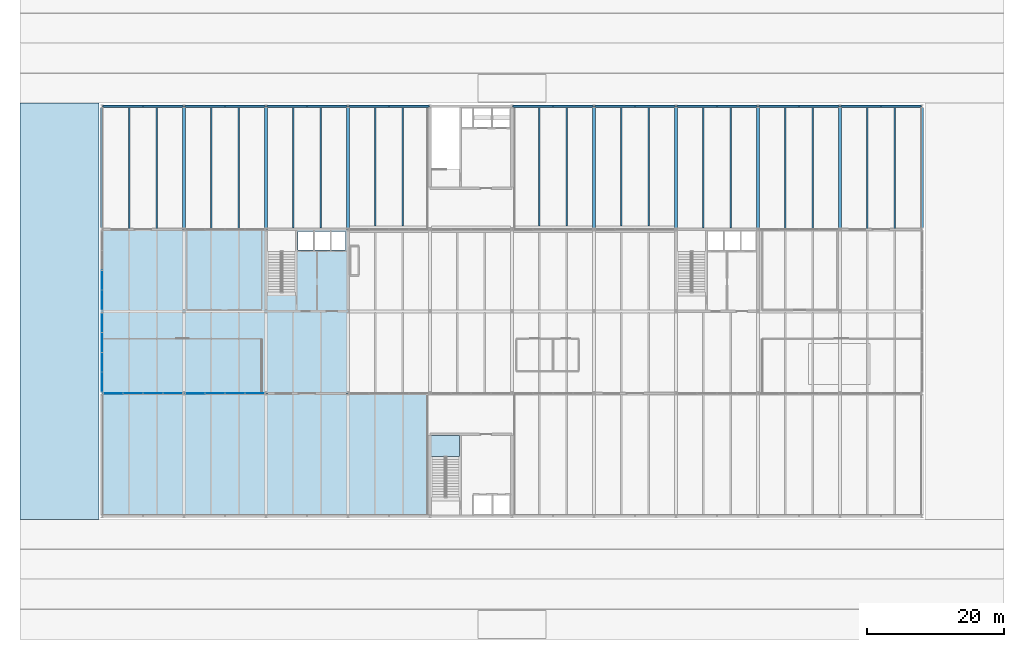
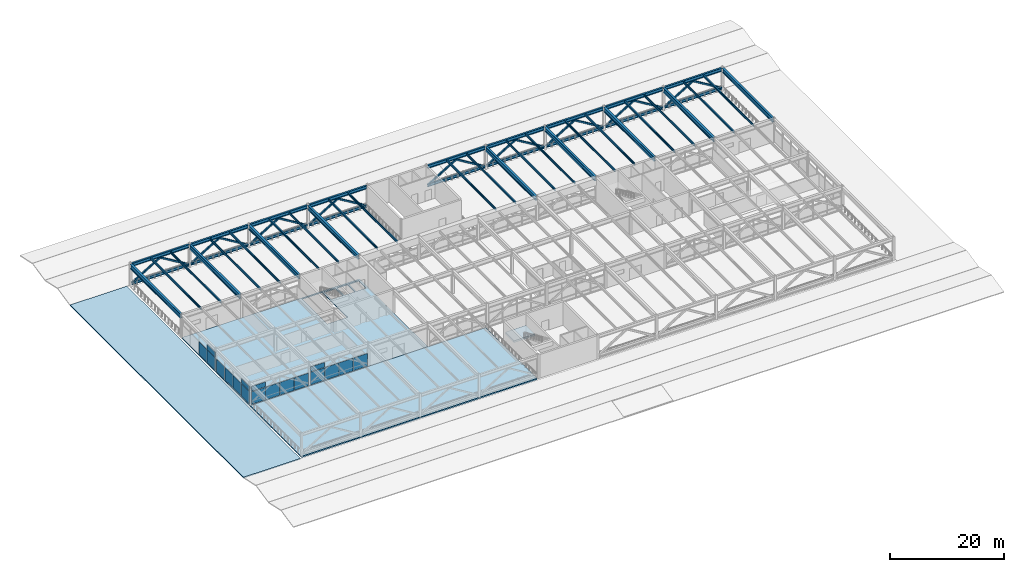
# One storey, part 32 of 42: 36 beams, 27 members, 18 plates, 4 slabs, 5 elements without a shape of their own.
"""IFC4 building model written with IfcOpenShell, lengths in metres."""

from ifc_helpers import new_model, si_unit, direction, frame, origin, origin_2d, place, context, subcontext, project, spatial, polyline, rectangle, hollow_rectangle, i_section, outline, extrude, material, layer, layer_set, material_profile, profile_set, type_object, element, aggregate, save


model = new_model("IFC4")

# Units and contexts
model_context = context("Model", 3, precision=1e-05, world=origin(), true_north=direction((0.0, 1.0)))
body_context = subcontext(model_context, "Body", "Model", "MODEL_VIEW")
ifc_project = project(units=[si_unit("LENGTHUNIT", "METRE"), si_unit("AREAUNIT", "SQUARE_METRE"), si_unit("VOLUMEUNIT", "CUBIC_METRE"), si_unit("PLANEANGLEUNIT", "RADIAN"), si_unit("MASSUNIT", "GRAM", prefix="KILO")], contexts=[model_context])

# Site, building, storey
site_placement = place(None, origin())
site = spatial("IfcSite", under=ifc_project, at=site_placement, CompositionType="ELEMENT")
building_placement = place(site_placement, origin())
building = spatial("IfcBuilding", under=site, at=building_placement, Name="Girod Span Mobility Hub", CompositionType="ELEMENT")
storey_placement = place(building_placement, frame((0.0, 0.0, 32.39990234375)))
storey = spatial("IfcBuildingStorey", under=building, at=storey_placement, Name="L08", CompositionType="ELEMENT", Elevation=32.39990234375)

# Beams
ifc_material_1 = material(Name="Steel A992 Grade 50", Category="steel")
ifc_material_profile_1 = material_profile(ifc_material_1, i_section(OverallWidth=0.19189453125, OverallDepth=0.462890625, WebThickness=0.010498046875, FlangeThickness=0.017578125, FilletRadius=0.013916015625, at=origin_2d()), Name="W18X60")
ifc_profile_set_1 = profile_set([ifc_material_profile_1], Name="Steel A992 Grade 50")
beam_type_1 = type_object("IfcBeamType", Name="BM-STL-W18X60", PredefinedType="BEAM", material=ifc_profile_set_1)
for number, where, z_axis, x_axis, name in (
    (1, (28.0, 69.0048828125, 4.74853515625), (0.0, 1.0, 0.0), (-1.0, 0.0, 0.0), "Composite Floorbeam 3/F-1 L08"),
    (2, (32.0, 69.0048828125, 4.74853515625), (0.0, 1.0, 0.0), (-1.0, 0.0, 0.0), "Composite Floorbeam 3/F-2 L08"),
    (3, (40.0, 69.0048828125, 4.74853515625), (0.0, 1.0, 0.0), (-1.0, 0.0, 0.0), "Composite Floorbeam 4/F-1 L08"),
    (4, (44.0, 69.0048828125, 4.74853515625), (0.0, 1.0, 0.0), (-1.0, 0.0, 0.0), "Composite Floorbeam 4/F-2 L08"),
):
    element("IfcBeam", number, at=place(storey_placement, frame(where, z_axis=z_axis, x_axis=x_axis)), inside=storey, type_object=beam_type_1, Name=name, PredefinedType="BEAM", context=body_context, shape_type="SweptSolid", body=[
        extrude(i_section(OverallWidth=0.19189453125, OverallDepth=0.462890625, WebThickness=0.010498046875, FlangeThickness=0.017578125, FilletRadius=0.013916015625, at=origin_2d()), origin(), (0.0, 0.0, 1.0), 17.820556640625),
    ])
for number, where, z_axis, x_axis, name in (
    (5, (52.0, 69.197021484375, 4.74853515625), (0.0, 1.0, 0.0), (-1.0, 0.0, 0.0), "Composite Floorbeam 5/F-1 L08"),
    (6, (56.0, 69.197021484375, 4.74853515625), (0.0, 1.0, 0.0), (-1.0, 0.0, 0.0), "Composite Floorbeam 5/F-2 L08"),
):
    element("IfcBeam", number, at=place(storey_placement, frame(where, z_axis=z_axis, x_axis=x_axis)), inside=storey, type_object=beam_type_1, Name=name, PredefinedType="BEAM", context=body_context, shape_type="SweptSolid", body=[
        extrude(i_section(OverallWidth=0.19189453125, OverallDepth=0.462890625, WebThickness=0.010498046875, FlangeThickness=0.017578125, FilletRadius=0.013916015625, at=origin_2d()), origin(), (0.0, 0.0, 1.0), 17.62841796875),
    ])
for number, where, z_axis, x_axis, name in (
    (7, (64.0, 69.447021484375, 4.74853515625), (0.0, 1.0, 0.0), (-1.0, 0.0, 0.0), "Composite Floorbeam 6/F-1 L08"),
    (8, (68.0, 69.447021484375, 4.74853515625), (0.0, 1.0, 0.0), (-1.0, 0.0, 0.0), "Composite Floorbeam 6/F-2 L08"),
    (9, (88.0, 69.447021484375, 4.74853515625), (0.0, 1.0, 0.0), (-1.0, 0.0, 0.0), "Composite Floorbeam 8/F-1 L08"),
    (10, (92.0, 69.447021484375, 4.74853515625), (0.0, 1.0, 0.0), (-1.0, 0.0, 0.0), "Composite Floorbeam 8/F-2 L08"),
    (11, (100.0, 69.447021484375, 4.74853515625), (0.0, 1.0, 0.0), (-1.0, 0.0, 0.0), "Composite Floorbeam 9/F-1 L08"),
    (12, (104.0, 69.447021484375, 4.74853515625), (0.0, 1.0, 0.0), (-1.0, 0.0, 0.0), "Composite Floorbeam 9/F-2 L08"),
):
    element("IfcBeam", number, at=place(storey_placement, frame(where, z_axis=z_axis, x_axis=x_axis)), inside=storey, type_object=beam_type_1, Name=name, PredefinedType="BEAM", context=body_context, shape_type="SweptSolid", body=[
        extrude(i_section(OverallWidth=0.19189453125, OverallDepth=0.462890625, WebThickness=0.010498046875, FlangeThickness=0.017578125, FilletRadius=0.013916015625, at=origin_2d()), origin(), (0.0, 0.0, 1.0), 17.37841796875),
    ])
for number, where, z_axis, x_axis, name in (
    (13, (112.0, 69.197021484375, 4.74853515625), (0.0, 1.0, 0.0), (-1.0, 0.0, 0.0), "Composite Floorbeam 10/F-1 L08"),
    (14, (116.0, 69.197021484375, 4.74853515625), (0.0, 1.0, 0.0), (-1.0, 0.0, 0.0), "Composite Floorbeam 10/F-2 L08"),
):
    element("IfcBeam", number, at=place(storey_placement, frame(where, z_axis=z_axis, x_axis=x_axis)), inside=storey, type_object=beam_type_1, Name=name, PredefinedType="BEAM", context=body_context, shape_type="SweptSolid", body=[
        extrude(i_section(OverallWidth=0.19189453125, OverallDepth=0.462890625, WebThickness=0.010498046875, FlangeThickness=0.017578125, FilletRadius=0.013916015625, at=origin_2d()), origin(), (0.0, 0.0, 1.0), 17.62841796875),
    ])
for number, where, z_axis, x_axis, name in (
    (15, (124.0, 69.0048828125, 4.74853515625), (0.0, 1.0, 0.0), (-1.0, 0.0, 0.0), "Composite Floorbeam 11/F-1 L08"),
    (16, (128.0, 69.0048828125, 4.74853515625), (0.0, 1.0, 0.0), (-1.0, 0.0, 0.0), "Composite Floorbeam 11/F-2 L08"),
    (17, (136.0, 69.0048828125, 4.74853515625), (0.0, 1.0, 0.0), (-1.0, 0.0, 0.0), "Composite Floorbeam 12/F-1 L08"),
    (18, (140.0, 69.0048828125, 4.74853515625), (0.0, 1.0, 0.0), (-1.0, 0.0, 0.0), "Composite Floorbeam 12/F-2 L08"),
):
    element("IfcBeam", number, at=place(storey_placement, frame(where, z_axis=z_axis, x_axis=x_axis)), inside=storey, type_object=beam_type_1, Name=name, PredefinedType="BEAM", context=body_context, shape_type="SweptSolid", body=[
        extrude(i_section(OverallWidth=0.19189453125, OverallDepth=0.462890625, WebThickness=0.010498046875, FlangeThickness=0.017578125, FilletRadius=0.013916015625, at=origin_2d()), origin(), (0.0, 0.0, 1.0), 17.820556640625),
    ])
ifc_material_2 = material(Name="Steel A992 Grade 50", Category="steel")
ifc_material_profile_2 = material_profile(ifc_material_2, i_section(OverallWidth=0.35498046875, OverallDepth=0.695068359375, WebThickness=0.015380859375, FlangeThickness=0.02490234375, FilletRadius=0.01806640625, at=origin_2d()), Name="W27X146")
ifc_profile_set_2 = profile_set([ifc_material_profile_2], Name="Steel A992 Grade 50")
beam_type_2 = type_object("IfcBeamType", Name="BM-STL-W27X146", PredefinedType="BEAM", material=ifc_profile_set_2)
for number, where, z_axis, x_axis, name in (
    (19, (24.196533203125, 87.0, 4.632568359375), (1.0, 0.0, 0.0), (0.0, 1.0, 0.0), "Girder 3-4/G L08"),
    (20, (36.196533203125, 87.0, 4.632568359375), (1.0, 0.0, 0.0), (0.0, 1.0, 0.0), "Girder 4-5/G L08"),
    (21, (48.196533203125, 87.0, 4.632568359375), (1.0, 0.0, 0.0), (0.0, 1.0, 0.0), "Girder 5-6/G L08"),
    (22, (60.196533203125, 87.0, 4.632568359375), (1.0, 0.0, 0.0), (0.0, 1.0, 0.0), "Girder 6-7/G L08"),
    (23, (84.196533203125, 87.0, 4.632568359375), (1.0, 0.0, 0.0), (0.0, 1.0, 0.0), "Girder 8-9/G L08"),
    (24, (96.196533203125, 87.0, 4.632568359375), (1.0, 0.0, 0.0), (0.0, 1.0, 0.0), "Girder 9-10/G L08"),
    (25, (108.196533203125, 87.0, 4.632568359375), (1.0, 0.0, 0.0), (0.0, 1.0, 0.0), "Girder 10-11/G L08"),
    (26, (120.196533203125, 87.0, 4.632568359375), (1.0, 0.0, 0.0), (0.0, 1.0, 0.0), "Girder 11-12/G L08"),
    (27, (132.196533203125, 87.0, 4.632568359375), (1.0, 0.0, 0.0), (0.0, 1.0, 0.0), "Girder 12-13/G L08"),
):
    element("IfcBeam", number, at=place(storey_placement, frame(where, z_axis=z_axis, x_axis=x_axis)), inside=storey, type_object=beam_type_2, Name=name, PredefinedType="BEAM", context=body_context, shape_type="SweptSolid", body=[
        extrude(i_section(OverallWidth=0.35498046875, OverallDepth=0.695068359375, WebThickness=0.015380859375, FlangeThickness=0.02490234375, FilletRadius=0.01806640625, at=origin_2d()), origin(), (0.0, 0.0, 1.0), 11.60693359375),
    ])
ifc_material_3 = material(Name="Steel A992 Grade 50", Category="steel")
ifc_material_profile_3 = material_profile(ifc_material_3, i_section(OverallWidth=0.423095703125, OverallDepth=0.93994140625, WebThickness=0.02392578125, FlangeThickness=0.042724609375, FilletRadius=0.02392578125, at=origin_2d()), Name="W36X302")
ifc_profile_set_3 = profile_set([ifc_material_profile_3], Name="Steel A992 Grade 50")
beam_type_3 = type_object("IfcBeamType", Name="BM-STL-W36X302", PredefinedType="BEAM", material=ifc_profile_set_3)
for number, where, z_axis, x_axis, name in (
    (28, (24.0, 69.193603515625, 4.510009765625), (0.0, 1.0, 0.0), (-1.0, 0.0, 0.0), "Tie Girder 3/F-G L08"),
    (29, (36.0, 69.193603515625, 4.510009765625), (0.0, 1.0, 0.0), (-1.0, 0.0, 0.0), "Tie Girder 4/F-G L08"),
):
    element("IfcBeam", number, at=place(storey_placement, frame(where, z_axis=z_axis, x_axis=x_axis)), inside=storey, type_object=beam_type_3, Name=name, PredefinedType="BEAM", context=body_context, shape_type="SweptSolid", body=[
        extrude(i_section(OverallWidth=0.423095703125, OverallDepth=0.93994140625, WebThickness=0.02392578125, FlangeThickness=0.042724609375, FilletRadius=0.02392578125, at=origin_2d()), origin(), (0.0, 0.0, 1.0), 17.61279296875),
    ])
for number, where, z_axis, x_axis, name in (
    (30, (48.0, 69.205078125, 4.510009765625), (0.0, 1.0, 0.0), (-1.0, 0.0, 0.0), "Tie Girder 5/F-G L08"),
    (31, (60.0, 69.205078125, 4.510009765625), (0.0, 1.0, 0.0), (-1.0, 0.0, 0.0), "Tie Girder 6/F-G L08"),
    (32, (96.0, 69.205078125, 4.510009765625), (0.0, 1.0, 0.0), (-1.0, 0.0, 0.0), "Tie Girder 9/F-G L08"),
    (33, (108.0, 69.205078125, 4.510009765625), (0.0, 1.0, 0.0), (-1.0, 0.0, 0.0), "Tie Girder 10/F-G L08"),
    (34, (120.0, 69.205078125, 4.510009765625), (0.0, 1.0, 0.0), (-1.0, 0.0, 0.0), "Tie Girder 11/F-G L08"),
):
    element("IfcBeam", number, at=place(storey_placement, frame(where, z_axis=z_axis, x_axis=x_axis)), inside=storey, type_object=beam_type_3, Name=name, PredefinedType="BEAM", context=body_context, shape_type="SweptSolid", body=[
        extrude(i_section(OverallWidth=0.423095703125, OverallDepth=0.93994140625, WebThickness=0.02392578125, FlangeThickness=0.042724609375, FilletRadius=0.02392578125, at=origin_2d()), origin(), (0.0, 0.0, 1.0), 17.601318359375),
    ])
for number, where, z_axis, x_axis, name in (
    (35, (132.0, 69.193603515625, 4.510009765625), (0.0, 1.0, 0.0), (-1.0, 0.0, 0.0), "Tie Girder 12/F-G L08"),
    (36, (144.0, 69.193603515625, 4.510009765625), (0.0, 1.0, 0.0), (-1.0, 0.0, 0.0), "Tie Girder 13/F-G L08"),
):
    element("IfcBeam", number, at=place(storey_placement, frame(where, z_axis=z_axis, x_axis=x_axis)), inside=storey, type_object=beam_type_3, Name=name, PredefinedType="BEAM", context=body_context, shape_type="SweptSolid", body=[
        extrude(i_section(OverallWidth=0.423095703125, OverallDepth=0.93994140625, WebThickness=0.02392578125, FlangeThickness=0.042724609375, FilletRadius=0.02392578125, at=origin_2d()), origin(), (0.0, 0.0, 1.0), 17.61279296875),
    ])

# Members
ifc_material_4 = material(Name="Steel HSS A500 Grade C", Category="steel")
ifc_material_profile_4 = material_profile(ifc_material_4, hollow_rectangle(XDim=0.304931640625, YDim=0.304931640625, WallThickness=0.014892578125, InnerFilletRadius=0.014892578125, OuterFilletRadius=0.029541015625, at=origin_2d()), Name="HSS305X305X16")
ifc_profile_set_4 = profile_set([ifc_material_profile_4], Name="Steel HSS A500 Grade C")
member_type_1 = type_object("IfcMemberType", Name="MB-BR-HSS305", PredefinedType="BRACE", material=ifc_profile_set_4)
for number, where, z_axis, x_axis, name in (
    (37, (24.179443359375, 87.0, 0.650146484375), (0.856343500446, 0.0, 0.516406631681), (0.0, 1.0, 0.0), "Warren Transfer Truss Web Diagonal Y=87 3-L"),
    (38, (35.820556640625, 87.0, 0.650146484375), (-0.856343500446, 0.0, 0.516406631681), (0.0, -1.0, 0.0), "Warren Transfer Truss Web Diagonal Y=87 3-R"),
    (39, (36.179443359375, 87.0, 0.650146484375), (0.856343500446, 0.0, 0.516406631681), (0.0, 1.0, 0.0), "Warren Transfer Truss Web Diagonal Y=87 4-L"),
    (40, (47.820556640625, 87.0, 0.650146484375), (-0.856343500446, 0.0, 0.516406631681), (0.0, -1.0, 0.0), "Warren Transfer Truss Web Diagonal Y=87 4-R"),
    (41, (48.179443359375, 87.0, 0.650146484375), (0.856343500446, 0.0, 0.516406631681), (0.0, 1.0, 0.0), "Warren Transfer Truss Web Diagonal Y=87 5-L"),
    (42, (59.820556640625, 87.0, 0.650146484375), (-0.856343500446, 0.0, 0.516406631681), (0.0, -1.0, 0.0), "Warren Transfer Truss Web Diagonal Y=87 5-R"),
    (43, (60.179443359375, 87.0, 0.650146484375), (0.856343500446, 0.0, 0.516406631681), (0.0, 1.0, 0.0), "Warren Transfer Truss Web Diagonal Y=87 6-L"),
    (44, (71.820556640625, 87.0, 0.650146484375), (-0.856343500446, 0.0, 0.516406631681), (0.0, -1.0, 0.0), "Warren Transfer Truss Web Diagonal Y=87 6-R"),
    (45, (84.179443359375, 87.0, 0.650146484375), (0.856343500446, 0.0, 0.516406631681), (0.0, 1.0, 0.0), "Warren Transfer Truss Web Diagonal Y=87 8-L"),
    (46, (95.820556640625, 87.0, 0.650146484375), (-0.856343500446, 0.0, 0.516406631681), (0.0, -1.0, 0.0), "Warren Transfer Truss Web Diagonal Y=87 8-R"),
    (47, (96.179443359375, 87.0, 0.650146484375), (0.856343500446, 0.0, 0.516406631681), (0.0, 1.0, 0.0), "Warren Transfer Truss Web Diagonal Y=87 9-L"),
    (48, (107.820556640625, 87.0, 0.650146484375), (-0.856343500446, 0.0, 0.516406631681), (0.0, -1.0, 0.0), "Warren Transfer Truss Web Diagonal Y=87 9-R"),
    (49, (108.179443359375, 87.0, 0.650146484375), (0.856343500446, 0.0, 0.516406631681), (0.0, 1.0, 0.0), "Warren Transfer Truss Web Diagonal Y=87 10-L"),
    (50, (119.820556640625, 87.0, 0.650146484375), (-0.856343500446, 0.0, 0.516406631681), (0.0, -1.0, 0.0), "Warren Transfer Truss Web Diagonal Y=87 10-R"),
    (51, (120.179443359375, 87.0, 0.650146484375), (0.856343500446, 0.0, 0.516406631681), (0.0, 1.0, 0.0), "Warren Transfer Truss Web Diagonal Y=87 11-L"),
    (52, (131.820556640625, 87.0, 0.650146484375), (-0.856343500446, 0.0, 0.516406631681), (0.0, -1.0, 0.0), "Warren Transfer Truss Web Diagonal Y=87 11-R"),
    (53, (132.179443359375, 87.0, 0.650146484375), (0.856343500446, 0.0, 0.516406631681), (0.0, 1.0, 0.0), "Warren Transfer Truss Web Diagonal Y=87 12-L"),
    (54, (143.820556640625, 87.0, 0.650146484375), (-0.856343500446, 0.0, 0.516406631681), (0.0, -1.0, 0.0), "Warren Transfer Truss Web Diagonal Y=87 12-R"),
):
    element("IfcMember", number, at=place(storey_placement, frame(where, z_axis=z_axis, x_axis=x_axis)), inside=storey, type_object=member_type_1, Name=name, PredefinedType="BRACE", context=body_context, shape_type="SweptSolid", body=[
        extrude(hollow_rectangle(XDim=0.304931640625, YDim=0.304931640625, WallThickness=0.014892578125, InnerFilletRadius=0.014892578125, OuterFilletRadius=0.029541015625, at=origin_2d()), origin(), (0.0, 0.0, 1.0), 6.796875),
    ])
ifc_material_5 = material(Name="Steel A992 Grade 50", Category="steel")
ifc_material_profile_5 = material_profile(ifc_material_5, i_section(OverallWidth=0.323974609375, OverallDepth=0.611083984375, WebThickness=0.0126953125, FlangeThickness=0.01904296875, FilletRadius=0.014892578125, at=origin_2d()), Name="W24X104")
ifc_profile_set_5 = profile_set([ifc_material_profile_5], Name="Steel A992 Grade 50")
member_type_2 = type_object("IfcMemberType", Name="MB-CH-W24X104", PredefinedType="CHORD", material=ifc_profile_set_5)
for number, where, z_axis, x_axis, name in (
    (55, (24.196533203125, 87.0, 0.64453125), (1.0, 0.0, 0.0), (0.0, 1.0, 0.0), "Warren Transfer Truss Bottom Chord Y=87 Bay 3"),
    (56, (36.196533203125, 87.0, 0.64453125), (1.0, 0.0, 0.0), (0.0, 1.0, 0.0), "Warren Transfer Truss Bottom Chord Y=87 Bay 4"),
    (57, (48.196533203125, 87.0, 0.64453125), (1.0, 0.0, 0.0), (0.0, 1.0, 0.0), "Warren Transfer Truss Bottom Chord Y=87 Bay 5"),
    (58, (60.196533203125, 87.0, 0.64453125), (1.0, 0.0, 0.0), (0.0, 1.0, 0.0), "Warren Transfer Truss Bottom Chord Y=87 Bay 6"),
    (59, (84.196533203125, 87.0, 0.64453125), (1.0, 0.0, 0.0), (0.0, 1.0, 0.0), "Warren Transfer Truss Bottom Chord Y=87 Bay 8"),
    (60, (96.196533203125, 87.0, 0.64453125), (1.0, 0.0, 0.0), (0.0, 1.0, 0.0), "Warren Transfer Truss Bottom Chord Y=87 Bay 9"),
    (61, (108.196533203125, 87.0, 0.64453125), (1.0, 0.0, 0.0), (0.0, 1.0, 0.0), "Warren Transfer Truss Bottom Chord Y=87 Bay 10"),
    (62, (120.196533203125, 87.0, 0.64453125), (1.0, 0.0, 0.0), (0.0, 1.0, 0.0), "Warren Transfer Truss Bottom Chord Y=87 Bay 11"),
    (63, (132.196533203125, 87.0, 0.64453125), (1.0, 0.0, 0.0), (0.0, 1.0, 0.0), "Warren Transfer Truss Bottom Chord Y=87 Bay 12"),
):
    element("IfcMember", number, at=place(storey_placement, frame(where, z_axis=z_axis, x_axis=x_axis)), inside=storey, type_object=member_type_2, Name=name, PredefinedType="CHORD", context=body_context, shape_type="SweptSolid", body=[
        extrude(i_section(OverallWidth=0.323974609375, OverallDepth=0.611083984375, WebThickness=0.0126953125, FlangeThickness=0.01904296875, FilletRadius=0.014892578125, at=origin_2d()), origin(), (0.0, 0.0, 1.0), 11.60693359375),
    ])

# Curtain wall, plate
ifc_material_6 = material(Name="Thermally Broken Anodised Aluminium", Category="aluminium")
curtain_wall_type_1 = type_object("IfcCurtainWallType", Name="CW-1160X410", PredefinedType="USERDEFINED", material=ifc_material_6)
curtain_wall_1_placement = place(storey_placement, origin())
curtain_wall_1 = element("IfcCurtainWall", 64, at=curtain_wall_1_placement, inside=storey, type_object=curtain_wall_type_1, Name="Unitised Curtain Wall CW-L08-S04 L08", ObjectType="UNITISED CURTAIN WALL", PredefinedType="USERDEFINED")
ifc_material_7 = material(Name="Double Low-E Insulated Glazing", Category="glass")
ifc_layer_1 = layer(ifc_material_7, 0.05810546875)
ifc_layer_set_1 = layer_set([ifc_layer_1], Name="Double Low-E Insulated Glazing")
plate_type_1 = type_object("IfcPlateType", Name="PLT-SPN-2830X1068X58", PredefinedType="CURTAIN_PANEL", material=ifc_layer_set_1)
plate_1_placement = place(storey_placement, frame((37.647705078125, 45.0, 2.9521484375), z_axis=(0.0, 0.0, 1.0), x_axis=(1.0, 0.0, 0.0)))
plate_1 = element("IfcPlate", 65, at=plate_1_placement, type_object=plate_type_1, Name="Spandrel Glazing Panel CW-L08-S04-S1", PredefinedType="CURTAIN_PANEL", context=body_context, shape_type="SweptSolid", body=[
    extrude(rectangle(XDim=2.83642578125, YDim=0.05810546875, at=origin_2d()), origin(), (0.0, 0.0, 1.0), 1.028076171875),
])

curtain_wall_2_placement = place(storey_placement, origin())
curtain_wall_2 = element("IfcCurtainWall", 66, at=curtain_wall_2_placement, inside=storey, type_object=curtain_wall_type_1, Name="Unitised Curtain Wall CW-L08-S03 L08", ObjectType="UNITISED CURTAIN WALL", PredefinedType="USERDEFINED")
ifc_material_8 = material(Name="Double Low-E Insulated Glazing", Category="glass")
ifc_layer_2 = layer(ifc_material_8, 0.05810546875)
ifc_layer_set_2 = layer_set([ifc_layer_2], Name="Double Low-E Insulated Glazing")
plate_type_2 = type_object("IfcPlateType", Name="PLT-SPN-2831X1068X58", PredefinedType="CURTAIN_PANEL", material=ifc_layer_set_2)
plate_2_placement = place(storey_placement, frame((25.648193359375, 45.0, 2.9521484375), z_axis=(0.0, 0.0, 1.0), x_axis=(1.0, 0.0, 0.0)))
plate_2 = element("IfcPlate", 67, at=plate_2_placement, type_object=plate_type_2, Name="Spandrel Glazing Panel CW-L08-S03-S1", PredefinedType="CURTAIN_PANEL", context=body_context, shape_type="SweptSolid", body=[
    extrude(rectangle(XDim=2.83740234375, YDim=0.05810546875, at=origin_2d()), origin(), (0.0, 0.0, 1.0), 1.028076171875),
])

ifc_material_9 = material(Name="Thermally Broken Anodised Aluminium", Category="aluminium")
curtain_wall_type_2 = type_object("IfcCurtainWallType", Name="CW-1161X410", PredefinedType="USERDEFINED", material=ifc_material_9)
curtain_wall_3_placement = place(storey_placement, origin())
curtain_wall_3 = element("IfcCurtainWall", 68, at=curtain_wall_3_placement, inside=storey, type_object=curtain_wall_type_2, Name="Unitised Curtain Wall CW-L08-WD L08", ObjectType="UNITISED CURTAIN WALL", PredefinedType="USERDEFINED")
ifc_material_10 = material(Name="Double Low-E Insulated Glazing", Category="glass")
ifc_layer_3 = layer(ifc_material_10, 0.05810546875)
ifc_layer_set_3 = layer_set([ifc_layer_3], Name="Double Low-E Insulated Glazing")
plate_type_3 = type_object("IfcPlateType", Name="PLT-SPN-2833X1068X58", PredefinedType="CURTAIN_PANEL", material=ifc_layer_set_3)
plate_3_placement = place(storey_placement, frame((24.0, 46.64599609375, 2.9521484375), z_axis=(0.0, 0.0, 1.0), x_axis=(0.0, 1.0, 0.0)))
plate_3 = element("IfcPlate", 69, at=plate_3_placement, type_object=plate_type_3, Name="Spandrel Glazing Panel CW-L08-WD-S1", PredefinedType="CURTAIN_PANEL", context=body_context, shape_type="SweptSolid", body=[
    extrude(rectangle(XDim=2.8388671875, YDim=0.05810546875, at=origin_2d()), origin(), (0.0, 0.0, 1.0), 1.028076171875),
])

curtain_wall_4_placement = place(storey_placement, origin())
curtain_wall_4 = element("IfcCurtainWall", 70, at=curtain_wall_4_placement, inside=storey, type_object=curtain_wall_type_2, Name="Unitised Curtain Wall CW-L08-WE L08", ObjectType="UNITISED CURTAIN WALL", PredefinedType="USERDEFINED")
plate_4_placement = place(storey_placement, frame((24.0, 58.64599609375, 2.9521484375), z_axis=(0.0, 0.0, 1.0), x_axis=(0.0, 1.0, 0.0)))
plate_4 = element("IfcPlate", 71, at=plate_4_placement, type_object=plate_type_3, Name="Spandrel Glazing Panel CW-L08-WE-S1", PredefinedType="CURTAIN_PANEL", context=body_context, shape_type="SweptSolid", body=[
    extrude(rectangle(XDim=2.8388671875, YDim=0.05810546875, at=origin_2d()), origin(), (0.0, 0.0, 1.0), 1.028076171875),
])

# Plate
ifc_material_11 = material(Name="Double Low-E Insulated Glazing", Category="glass")
ifc_layer_4 = layer(ifc_material_11, 0.0458984375)
ifc_layer_set_4 = layer_set([ifc_layer_4], Name="Double Low-E Insulated Glazing")
plate_type_4 = type_object("IfcPlateType", Name="PLT-VIS-2830X2952X46", PredefinedType="CURTAIN_PANEL", material=ifc_layer_set_4)
plate_5_placement = place(storey_placement, frame((37.647705078125, 45.0, 0.14013671875), z_axis=(0.0, 0.0, 1.0), x_axis=(1.0, 0.0, 0.0)))
plate_5 = element("IfcPlate", 72, at=plate_5_placement, type_object=plate_type_4, Name="Vision Glazing Panel CW-L08-S04-V1", PredefinedType="CURTAIN_PANEL", context=body_context, shape_type="SweptSolid", body=[
    extrude(rectangle(XDim=2.83642578125, YDim=0.0458984375, at=origin_2d()), origin(), (0.0, 0.0, 1.0), 2.69189453125),
])

plate_6_placement = place(storey_placement, frame((40.548095703125, 45.0, 0.14013671875), z_axis=(0.0, 0.0, 1.0), x_axis=(1.0, 0.0, 0.0)))
plate_6 = element("IfcPlate", 73, at=plate_6_placement, type_object=plate_type_4, Name="Vision Glazing Panel CW-L08-S04-V2", PredefinedType="CURTAIN_PANEL", context=body_context, shape_type="SweptSolid", body=[
    extrude(rectangle(XDim=2.836181640625, YDim=0.0458984375, at=origin_2d()), origin(), (0.0, 0.0, 1.0), 2.69189453125),
])

plate_7_placement = place(storey_placement, frame((43.448486328125, 45.0, 0.14013671875), z_axis=(0.0, 0.0, 1.0), x_axis=(1.0, 0.0, 0.0)))
plate_7 = element("IfcPlate", 74, at=plate_7_placement, type_object=plate_type_4, Name="Vision Glazing Panel CW-L08-S04-V3", PredefinedType="CURTAIN_PANEL", context=body_context, shape_type="SweptSolid", body=[
    extrude(rectangle(XDim=2.83642578125, YDim=0.0458984375, at=origin_2d()), origin(), (0.0, 0.0, 1.0), 2.69189453125),
])

plate_8_placement = place(storey_placement, frame((46.348876953125, 45.0, 0.14013671875), z_axis=(0.0, 0.0, 1.0), x_axis=(1.0, 0.0, 0.0)))
plate_8 = element("IfcPlate", 75, at=plate_8_placement, type_object=plate_type_4, Name="Vision Glazing Panel CW-L08-S04-V4", PredefinedType="CURTAIN_PANEL", context=body_context, shape_type="SweptSolid", body=[
    extrude(rectangle(XDim=2.83642578125, YDim=0.0458984375, at=origin_2d()), origin(), (0.0, 0.0, 1.0), 2.69189453125),
])

aggregate(curtain_wall_1, [plate_5, plate_1, plate_6, plate_7, plate_8])

ifc_material_12 = material(Name="Double Low-E Insulated Glazing", Category="glass")
ifc_layer_5 = layer(ifc_material_12, 0.0458984375)
ifc_layer_set_5 = layer_set([ifc_layer_5], Name="Double Low-E Insulated Glazing")
plate_type_5 = type_object("IfcPlateType", Name="PLT-VIS-2831X2952X46", PredefinedType="CURTAIN_PANEL", material=ifc_layer_set_5)
plate_9_placement = place(storey_placement, frame((25.648193359375, 45.0, 0.14013671875), z_axis=(0.0, 0.0, 1.0), x_axis=(1.0, 0.0, 0.0)))
plate_9 = element("IfcPlate", 76, at=plate_9_placement, type_object=plate_type_5, Name="Vision Glazing Panel CW-L08-S03-V1", PredefinedType="CURTAIN_PANEL", context=body_context, shape_type="SweptSolid", body=[
    extrude(rectangle(XDim=2.83740234375, YDim=0.0458984375, at=origin_2d()), origin(), (0.0, 0.0, 1.0), 2.69189453125),
])

plate_10_placement = place(storey_placement, frame((28.54931640625, 45.0, 0.14013671875), z_axis=(0.0, 0.0, 1.0), x_axis=(1.0, 0.0, 0.0)))
plate_10 = element("IfcPlate", 77, at=plate_10_placement, type_object=plate_type_5, Name="Vision Glazing Panel CW-L08-S03-V2", PredefinedType="CURTAIN_PANEL", context=body_context, shape_type="SweptSolid", body=[
    extrude(rectangle(XDim=2.837158203125, YDim=0.0458984375, at=origin_2d()), origin(), (0.0, 0.0, 1.0), 2.69189453125),
])

plate_11_placement = place(storey_placement, frame((31.45068359375, 45.0, 0.14013671875), z_axis=(0.0, 0.0, 1.0), x_axis=(1.0, 0.0, 0.0)))
plate_11 = element("IfcPlate", 78, at=plate_11_placement, type_object=plate_type_5, Name="Vision Glazing Panel CW-L08-S03-V3", PredefinedType="CURTAIN_PANEL", context=body_context, shape_type="SweptSolid", body=[
    extrude(rectangle(XDim=2.837158203125, YDim=0.0458984375, at=origin_2d()), origin(), (0.0, 0.0, 1.0), 2.69189453125),
])

plate_12_placement = place(storey_placement, frame((34.351806640625, 45.0, 0.14013671875), z_axis=(0.0, 0.0, 1.0), x_axis=(1.0, 0.0, 0.0)))
plate_12 = element("IfcPlate", 79, at=plate_12_placement, type_object=plate_type_5, Name="Vision Glazing Panel CW-L08-S03-V4", PredefinedType="CURTAIN_PANEL", context=body_context, shape_type="SweptSolid", body=[
    extrude(rectangle(XDim=2.83740234375, YDim=0.0458984375, at=origin_2d()), origin(), (0.0, 0.0, 1.0), 2.69189453125),
])

aggregate(curtain_wall_2, [plate_9, plate_2, plate_10, plate_11, plate_12])

ifc_material_13 = material(Name="Double Low-E Insulated Glazing", Category="glass")
ifc_layer_6 = layer(ifc_material_13, 0.0458984375)
ifc_layer_set_6 = layer_set([ifc_layer_6], Name="Double Low-E Insulated Glazing")
plate_type_6 = type_object("IfcPlateType", Name="PLT-VIS-2833X2952X46", PredefinedType="CURTAIN_PANEL", material=ifc_layer_set_6)
plate_13_placement = place(storey_placement, frame((24.0, 46.64599609375, 0.14013671875), z_axis=(0.0, 0.0, 1.0), x_axis=(0.0, 1.0, 0.0)))
plate_13 = element("IfcPlate", 80, at=plate_13_placement, type_object=plate_type_6, Name="Vision Glazing Panel CW-L08-WD-V1", PredefinedType="CURTAIN_PANEL", context=body_context, shape_type="SweptSolid", body=[
    extrude(rectangle(XDim=2.8388671875, YDim=0.0458984375, at=origin_2d()), origin(), (0.0, 0.0, 1.0), 2.69189453125),
])

plate_14_placement = place(storey_placement, frame((24.0, 49.548583984375, 0.14013671875), z_axis=(0.0, 0.0, 1.0), x_axis=(0.0, 1.0, 0.0)))
plate_14 = element("IfcPlate", 81, at=plate_14_placement, type_object=plate_type_6, Name="Vision Glazing Panel CW-L08-WD-V2", PredefinedType="CURTAIN_PANEL", context=body_context, shape_type="SweptSolid", body=[
    extrude(rectangle(XDim=2.838623046875, YDim=0.0458984375, at=origin_2d()), origin(), (0.0, 0.0, 1.0), 2.69189453125),
])

plate_15_placement = place(storey_placement, frame((24.0, 52.451416015625, 0.14013671875), z_axis=(0.0, 0.0, 1.0), x_axis=(0.0, 1.0, 0.0)))
plate_15 = element("IfcPlate", 82, at=plate_15_placement, type_object=plate_type_6, Name="Vision Glazing Panel CW-L08-WD-V3", PredefinedType="CURTAIN_PANEL", context=body_context, shape_type="SweptSolid", body=[
    extrude(rectangle(XDim=2.838623046875, YDim=0.0458984375, at=origin_2d()), origin(), (0.0, 0.0, 1.0), 2.69189453125),
])

plate_16_placement = place(storey_placement, frame((24.0, 55.35400390625, 0.14013671875), z_axis=(0.0, 0.0, 1.0), x_axis=(0.0, 1.0, 0.0)))
plate_16 = element("IfcPlate", 83, at=plate_16_placement, type_object=plate_type_6, Name="Vision Glazing Panel CW-L08-WD-V4", PredefinedType="CURTAIN_PANEL", context=body_context, shape_type="SweptSolid", body=[
    extrude(rectangle(XDim=2.8388671875, YDim=0.0458984375, at=origin_2d()), origin(), (0.0, 0.0, 1.0), 2.69189453125),
])

aggregate(curtain_wall_3, [plate_13, plate_3, plate_14, plate_15, plate_16])

plate_17_placement = place(storey_placement, frame((24.0, 58.64599609375, 0.14013671875), z_axis=(0.0, 0.0, 1.0), x_axis=(0.0, 1.0, 0.0)))
plate_17 = element("IfcPlate", 84, at=plate_17_placement, type_object=plate_type_6, Name="Vision Glazing Panel CW-L08-WE-V1", PredefinedType="CURTAIN_PANEL", context=body_context, shape_type="SweptSolid", body=[
    extrude(rectangle(XDim=2.8388671875, YDim=0.0458984375, at=origin_2d()), origin(), (0.0, 0.0, 1.0), 2.69189453125),
])

plate_18_placement = place(storey_placement, frame((24.0, 61.548583984375, 0.14013671875), z_axis=(0.0, 0.0, 1.0), x_axis=(0.0, 1.0, 0.0)))
plate_18 = element("IfcPlate", 85, at=plate_18_placement, type_object=plate_type_6, Name="Vision Glazing Panel CW-L08-WE-V2", PredefinedType="CURTAIN_PANEL", context=body_context, shape_type="SweptSolid", body=[
    extrude(rectangle(XDim=2.838623046875, YDim=0.0458984375, at=origin_2d()), origin(), (0.0, 0.0, 1.0), 2.69189453125),
])

aggregate(curtain_wall_4, [plate_17, plate_4, plate_18])

# Slabs
ifc_material_14 = material(Name="Concrete C40/50", Category="concrete")
ifc_layer_7 = layer(ifc_material_14, 0.27490234375)
ifc_layer_set_7 = layer_set([ifc_layer_7], Name="Concrete C40/50")
slab_type_1 = type_object("IfcSlabType", Name="SL-EXT-275", PredefinedType="FLOOR", material=ifc_layer_set_7)
slab_1_placement = place(storey_placement, frame((0.0, 0.0, -0.27490234375)))
element("IfcSlab", 86, at=slab_1_placement, inside=storey, type_object=slab_type_1, Name="South West Rooftop Sports Court Deck", PredefinedType="FLOOR", context=body_context, shape_type="SweptSolid", body=[
    extrude(outline(polyline([(71.75, 27.0), (71.75, 45.0), (24.0, 45.0), (24.0, 27.0), (71.75, 27.0)])), origin(), (0.0, 0.0, 1.0), 0.27490234375),
])
ifc_material_15 = material(Name="Concrete C40/50", Category="concrete")
ifc_layer_8 = layer(ifc_material_15, 0.25)
ifc_layer_set_8 = layer_set([ifc_layer_8], Name="Concrete C40/50")
slab_type_2 = type_object("IfcSlabType", Name="SL-FLR-250", PredefinedType="FLOOR", material=ifc_layer_set_8)
slab_2_placement = place(storey_placement, frame((0.0, 0.0, -0.25)))
element("IfcSlab", 87, at=slab_2_placement, inside=storey, type_object=slab_type_2, Name="L08 Transfer Spine Floor Slab W", PredefinedType="FLOOR", context=body_context, shape_type="SweptSolid", body=[
    extrude(outline(polyline([(24.0, 45.0), (24.0, 69.0), (60.0, 69.0), (60.0, 45.0), (24.0, 45.0)]), holes=[polyline([(52.340087890625, 68.820068359375), (48.219970703125, 68.820068359375), (48.219970703125, 59.8349609375), (52.340087890625, 59.8349609375), (52.340087890625, 68.820068359375)]), polyline([(54.949951171875, 68.64990234375), (52.64990234375, 68.64990234375), (52.64990234375, 65.949951171875), (54.949951171875, 65.949951171875), (54.949951171875, 68.64990234375)]), polyline([(57.35009765625, 68.64990234375), (55.199951171875, 68.64990234375), (55.199951171875, 65.949951171875), (57.35009765625, 65.949951171875), (57.35009765625, 68.64990234375)]), polyline([(59.64990234375, 68.64990234375), (57.60009765625, 68.64990234375), (57.60009765625, 65.949951171875), (59.64990234375, 65.949951171875), (59.64990234375, 68.64990234375)])]), origin(), (0.0, 0.0, 1.0), 0.25),
])

# Stair, slab
ifc_material_16 = material(Name="Concrete C40/50", Category="concrete")
stair_type = type_object("IfcStairType", Name="STR-5200-W1860", PredefinedType="HALF_TURN_STAIR", material=ifc_material_16)
stair_placement = place(storey_placement, origin())
stair = element("IfcStair", 88, at=stair_placement, inside=storey, type_object=stair_type, Name="Exit Stair ST-3 L08", PredefinedType="HALF_TURN_STAIR")
ifc_material_17 = material(Name="Concrete C40/50", Category="concrete")
ifc_layer_9 = layer(ifc_material_17, 0.3798828125)
ifc_layer_set_9 = layer_set([ifc_layer_9], Name="Concrete C40/50")
slab_type_3 = type_object("IfcSlabType", Name="SL-LND-380", PredefinedType="LANDING", material=ifc_layer_set_9)
slab_3_placement = place(storey_placement, frame((0.0, 0.0, 2.22021484375)))
slab_3 = element("IfcSlab", 89, at=slab_3_placement, type_object=slab_type_3, Name="Stair ST-3 Half-Landing L08", PredefinedType="LANDING", context=body_context, shape_type="SweptSolid", body=[
    extrude(outline(polyline([(76.3349609375, 35.72607421875), (76.3349609375, 38.844970703125), (72.155029296875, 38.844970703125), (72.155029296875, 35.72607421875), (76.3349609375, 35.72607421875)])), origin(), (0.0, 0.0, 1.0), 0.3798828125),
])
aggregate(stair, [slab_3])

# Slab
ifc_material_18 = material(Name="Concrete C40/50", Category="concrete")
ifc_layer_10 = layer(ifc_material_18, 0.219970703125)
ifc_layer_set_10 = layer_set([ifc_layer_10], Name="Concrete C40/50")
slab_type_4 = type_object("IfcSlabType", Name="SL-ROOF-220", PredefinedType="ROOF", material=ifc_layer_set_10)
slab_4_placement = place(storey_placement, frame((0.0, 0.0, -0.219970703125)))
element("IfcSlab", 90, at=slab_4_placement, inside=storey, type_object=slab_type_4, Name="Insulated Setback Roof Slab above L07 W", PredefinedType="ROOF", context=body_context, shape_type="SweptSolid", body=[
    extrude(outline(polyline([(12.0, 87.449951171875), (23.550048828125, 87.449951171875), (23.550048828125, 68.550048828125), (23.550048828125, 45.449951171875), (23.550048828125, 26.550048828125), (12.0, 26.550048828125), (12.0, 87.449951171875)])), origin(), (0.0, 0.0, 1.0), 0.219970703125),
])

save(model, "model.ifc")
